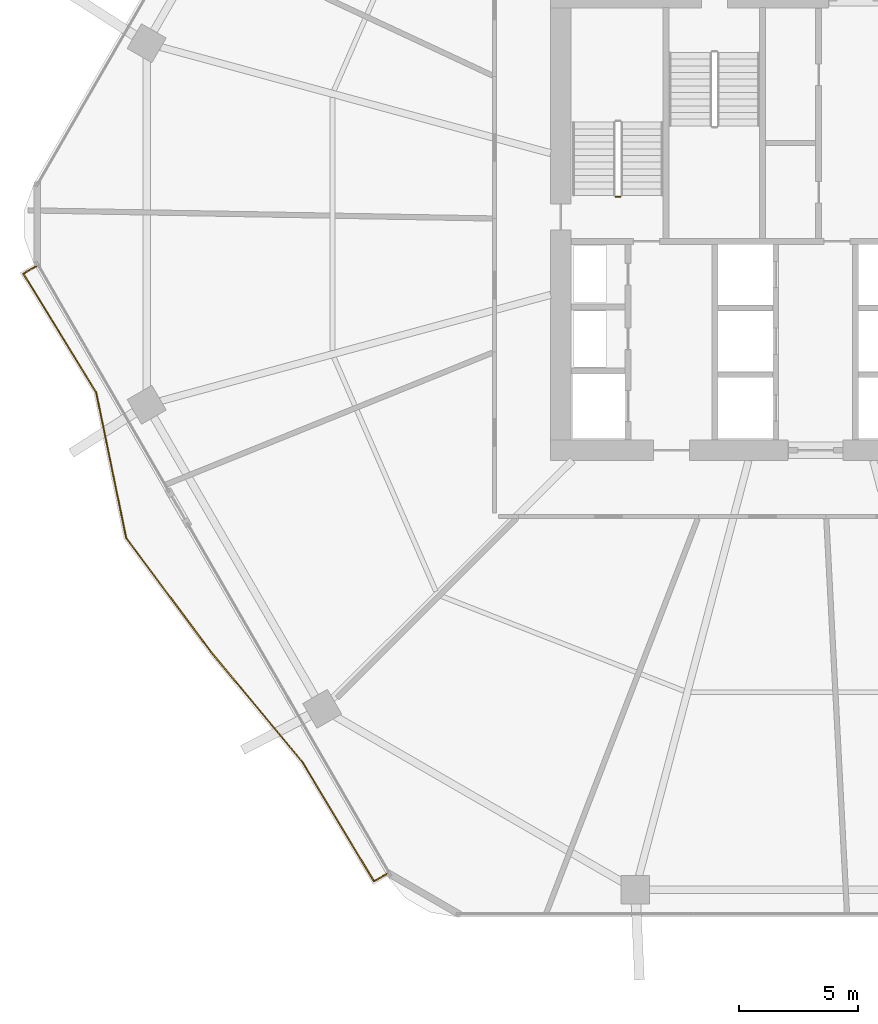
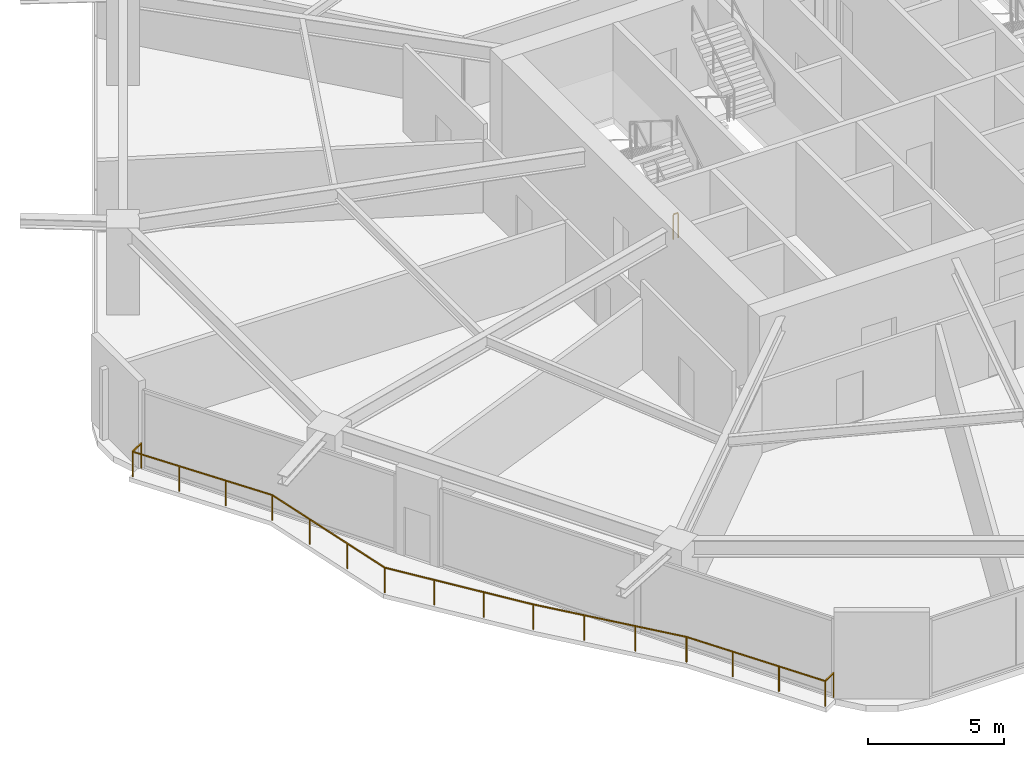
# One storey, part 25 of 27: 2 railings.
"""IFC4 building model written with IfcOpenShell, lengths in metres."""

from ifc_helpers import new_model, si_unit, direction, frame, origin, origin_2d, place, context, subcontext, project, spatial, rectangle, extrude, material, type_object, element, save


model = new_model("IFC4")

# Units and contexts
model_context = context("Model", 3, precision=1e-05, world=origin(), true_north=direction((0.0, 1.0)))
body_context = subcontext(model_context, "Body", "Model", "MODEL_VIEW")
ifc_project = project(units=[si_unit("LENGTHUNIT", "METRE"), si_unit("AREAUNIT", "SQUARE_METRE"), si_unit("VOLUMEUNIT", "CUBIC_METRE"), si_unit("PLANEANGLEUNIT", "RADIAN"), si_unit("MASSUNIT", "GRAM", prefix="KILO")], contexts=[model_context])

# Site, building, storey
site_placement = place(None, origin())
site = spatial("IfcSite", under=ifc_project, at=site_placement, CompositionType="ELEMENT")
building_placement = place(site_placement, origin())
building = spatial("IfcBuilding", under=site, at=building_placement, Name="Zuhravey Tower", CompositionType="ELEMENT")
storey_placement = place(building_placement, frame((0.0, 0.0, 12.0)))
storey = spatial("IfcBuildingStorey", under=building, at=storey_placement, Name="L03", CompositionType="ELEMENT", Elevation=12.0)

# Railings
ifc_material_1 = material(Name="Stainless steel 316 and laminated glass", Category="steel")
railing_type_1 = type_object("IfcRailingType", Name="Balcony & Terrace Guardrail 1150", PredefinedType="BALUSTRADE", material=ifc_material_1)
railing_1_placement = place(storey_placement, frame((18.2119140625, 4.72314453125, 0.0)))
element("IfcRailing", 1, at=railing_1_placement, inside=storey, type_object=railing_type_1, Name="L03 Face 4 Wave Balcony Guardrail GR1", PredefinedType="BALUSTRADE", context=body_context, shape_type="SweptSolid", body=[
    extrude(rectangle(XDim=0.048095703125, YDim=0.048095703125, at=origin_2d()), frame((-0.001708984375, -0.0009765625, 1.1259765625), z_axis=(-0.866128586522, -0.499821239653, 0.0), x_axis=(0.499821239653, -0.866128586522, 0.0)), (0.0, 0.0, 1.0), 0.637939453125),
    extrude(rectangle(XDim=0.048095703125, YDim=0.048095703125, at=origin_2d()), frame((-0.556884765625, -0.319091796875, 1.1259765625), z_axis=(-0.514618675857, 0.857419161472, 0.0), x_axis=(-0.857419161472, -0.514618675857, 0.0)), (0.0, 0.0, 1.0), 5.83740234375),
    extrude(rectangle(XDim=0.048095703125, YDim=0.048095703125, at=origin_2d()), frame((-3.563232421875, 4.689208984375, 1.1259765625), z_axis=(-0.63888758427, 0.769300107023, 0.0), x_axis=(-0.769300107023, -0.63888758427, 0.0)), (0.0, 0.0, 1.0), 6.018310546875),
    extrude(rectangle(XDim=0.048095703125, YDim=0.048095703125, at=origin_2d()), frame((-7.410888671875, 9.322509765625, 1.1259765625), z_axis=(-0.597079584674, 0.802182005262, 0.0), x_axis=(-0.802182005262, -0.597079584674, 0.0)), (0.0, 0.0, 1.0), 5.94287109375),
    extrude(rectangle(XDim=0.048095703125, YDim=0.048095703125, at=origin_2d()), frame((-10.9609375, 14.09326171875, 1.1259765625), z_axis=(-0.201856998567, 0.979415005056, 0.0), x_axis=(-0.979415005056, -0.201856998567, 0.0)), (0.0, 0.0, 1.0), 6.240478515625),
    extrude(rectangle(XDim=0.048095703125, YDim=0.048095703125, at=origin_2d()), frame((-12.221923828125, 20.208984375, 1.1259765625), z_axis=(-0.523107194448, 0.852266896645, 0.0), x_axis=(-0.852266896645, -0.523107194448, 0.0)), (0.0, 0.0, 1.0), 5.844482421875),
    extrude(rectangle(XDim=0.048095703125, YDim=0.048095703125, at=origin_2d()), frame((-15.278564453125, 25.192626953125, 1.1259765625), z_axis=(0.865994143547, 0.500054140411, 0.0), x_axis=(-0.500054140411, 0.865994143547, 0.0)), (0.0, 0.0, 1.0), 0.633056640625),
    extrude(rectangle(XDim=0.0419921875, YDim=0.0419921875, at=origin_2d()), origin(), (0.0, 0.0, 1.0), 1.099853515625),
    extrude(rectangle(XDim=0.0419921875, YDim=0.0419921875, at=origin_2d()), frame((-0.555908203125, -0.32080078125, 0.0)), (0.0, 0.0, 1.0), 1.099853515625),
    extrude(rectangle(XDim=0.0419921875, YDim=0.0419921875, at=origin_2d()), frame((-1.557861328125, 1.3486328125, 0.0)), (0.0, 0.0, 1.0), 1.099853515625),
    extrude(rectangle(XDim=0.0419921875, YDim=0.0419921875, at=origin_2d()), frame((-2.56005859375, 3.018310546875, 0.0)), (0.0, 0.0, 1.0), 1.099853515625),
    extrude(rectangle(XDim=0.0419921875, YDim=0.0419921875, at=origin_2d()), frame((-3.56201171875, 4.687744140625, 0.0)), (0.0, 0.0, 1.0), 1.099853515625),
    extrude(rectangle(XDim=0.0419921875, YDim=0.0419921875, at=origin_2d()), frame((-4.844482421875, 6.232177734375, 0.0)), (0.0, 0.0, 1.0), 1.099853515625),
    extrude(rectangle(XDim=0.0419921875, YDim=0.0419921875, at=origin_2d()), frame((-6.127197265625, 7.7763671875, 0.0)), (0.0, 0.0, 1.0), 1.099853515625),
    extrude(rectangle(XDim=0.0419921875, YDim=0.0419921875, at=origin_2d()), frame((-7.40966796875, 9.32080078125, 0.0)), (0.0, 0.0, 1.0), 1.099853515625),
    extrude(rectangle(XDim=0.0419921875, YDim=0.0419921875, at=origin_2d()), frame((-8.59326171875, 10.910888671875, 0.0)), (0.0, 0.0, 1.0), 1.099853515625),
    extrude(rectangle(XDim=0.0419921875, YDim=0.0419921875, at=origin_2d()), frame((-9.77685546875, 12.501220703125, 0.0)), (0.0, 0.0, 1.0), 1.099853515625),
    extrude(rectangle(XDim=0.0419921875, YDim=0.0419921875, at=origin_2d()), frame((-10.96044921875, 14.09130859375, 0.0)), (0.0, 0.0, 1.0), 1.099853515625),
    extrude(rectangle(XDim=0.0419921875, YDim=0.0419921875, at=origin_2d()), frame((-11.380615234375, 16.1298828125, 0.0)), (0.0, 0.0, 1.0), 1.099853515625),
    extrude(rectangle(XDim=0.0419921875, YDim=0.0419921875, at=origin_2d()), frame((-11.80078125, 18.168701171875, 0.0)), (0.0, 0.0, 1.0), 1.099853515625),
    extrude(rectangle(XDim=0.0419921875, YDim=0.0419921875, at=origin_2d()), frame((-12.220947265625, 20.207275390625, 0.0)), (0.0, 0.0, 1.0), 1.099853515625),
    extrude(rectangle(XDim=0.0419921875, YDim=0.0419921875, at=origin_2d()), frame((-13.24072265625, 21.86865234375, 0.0)), (0.0, 0.0, 1.0), 1.099853515625),
    extrude(rectangle(XDim=0.0419921875, YDim=0.0419921875, at=origin_2d()), frame((-14.260498046875, 23.5302734375, 0.0)), (0.0, 0.0, 1.0), 1.099853515625),
    extrude(rectangle(XDim=0.0419921875, YDim=0.0419921875, at=origin_2d()), frame((-15.2802734375, 25.191650390625, 0.0)), (0.0, 0.0, 1.0), 1.099853515625),
    extrude(rectangle(XDim=0.0419921875, YDim=0.0419921875, at=origin_2d()), frame((-14.728515625, 25.51025390625, 0.0)), (0.0, 0.0, 1.0), 1.099853515625),
])
ifc_material_2 = material(Name="Painted tubular steel", Category="steel")
railing_type_2 = type_object("IfcRailingType", Name="Stair Well Guardrail 1150", PredefinedType="GUARDRAIL", material=ifc_material_2)
railing_2_placement = place(storey_placement, frame((28.0, 33.14990234375, 0.0)))
element("IfcRailing", 2, at=railing_2_placement, inside=storey, type_object=railing_type_2, Name="L03 ST1 stair guard 4", PredefinedType="GUARDRAIL", context=body_context, shape_type="SweptSolid", body=[
    extrude(rectangle(XDim=0.048095703125, YDim=0.048095703125, at=origin_2d()), frame((-0.001953125, 0.0, 1.1259765625), z_axis=(-1.0, 0.0, 0.0), x_axis=(0.0, -1.0, 0.0)), (0.0, 0.0, 1.0), 0.196044921875),
    extrude(rectangle(XDim=0.0419921875, YDim=0.0419921875, at=origin_2d()), origin(), (0.0, 0.0, 1.0), 1.099853515625),
    extrude(rectangle(XDim=0.0419921875, YDim=0.0419921875, at=origin_2d()), frame((-0.199951171875, 0.0, 0.0)), (0.0, 0.0, 1.0), 1.099853515625),
])

save(model, "model.ifc")
